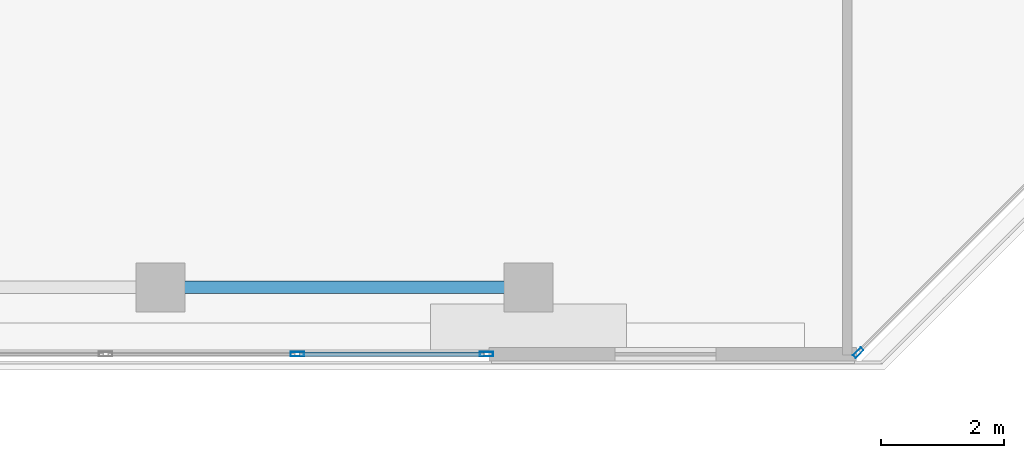
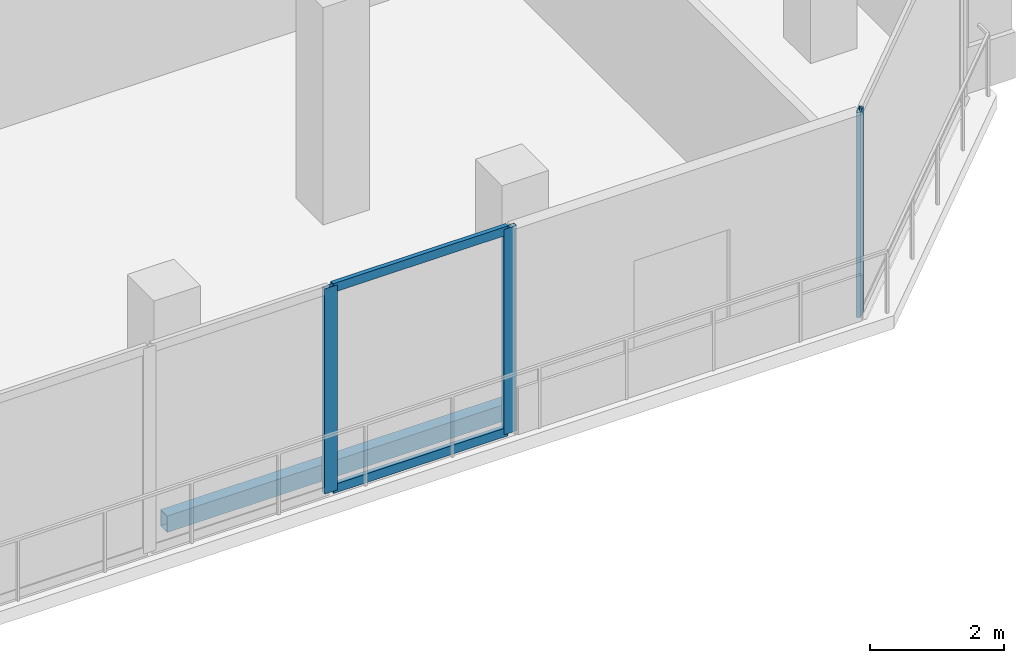
# One storey, part 14 of 26: 5 members, 1 beam, 2 elements without a shape of their own.
"""IFC4 building model written with IfcOpenShell, lengths in metres."""

from ifc_helpers import new_model, si_unit, direction, frame, origin, origin_2d, place, context, subcontext, project, spatial, hollow_rectangle, extrude, material, layer, layer_set, material_profile, profile_set, type_object, element, aggregate, save


model = new_model("IFC4")

# Units and contexts
model_context = context("Model", 3, precision=1e-05, world=origin(), true_north=direction((0.0, 1.0)))
body_context = subcontext(model_context, "Body", "Model", "MODEL_VIEW")
ifc_project = project(units=[si_unit("LENGTHUNIT", "METRE"), si_unit("AREAUNIT", "SQUARE_METRE"), si_unit("VOLUMEUNIT", "CUBIC_METRE"), si_unit("PLANEANGLEUNIT", "RADIAN"), si_unit("MASSUNIT", "GRAM", prefix="KILO")], contexts=[model_context])

# Site, building, storey
site_placement = place(None, origin())
site = spatial("IfcSite", under=ifc_project, at=site_placement, CompositionType="ELEMENT")
building_placement = place(site_placement, origin())
building = spatial("IfcBuilding", under=site, at=building_placement, Name="Tanjung Sevakor Pilgrim Tower", CompositionType="ELEMENT")
storey_placement = place(building_placement, frame((0.0, 0.0, 177.8701171875)))
storey = spatial("IfcBuildingStorey", under=building, at=storey_placement, Name="L49", CompositionType="ELEMENT", Elevation=177.8701171875)

# Beam
ifc_material_1 = material(Name="Steel S355J2", Category="steel")
ifc_material_profile_1 = material_profile(ifc_material_1, hollow_rectangle(XDim=0.199951171875, YDim=0.300048828125, WallThickness=0.012451171875, at=origin_2d()))
ifc_profile_set_1 = profile_set([ifc_material_profile_1], Name="Steel S355J2")
beam_type = type_object("IfcBeamType", Name="BM-B-SP3-RHS_300x200x12.5", PredefinedType="SPANDREL", material=ifc_profile_set_1)
beam_placement = place(storey_placement, frame((84.0, 13.25, -0.43017578125), z_axis=(1.0, 0.0, 0.0), x_axis=(0.0, 1.0, 0.0)))
element("IfcBeam", 1, at=beam_placement, inside=storey, type_object=beam_type, Name="L49 Spandrel MAIN S-15", PredefinedType="SPANDREL", context=body_context, shape_type="SweptSolid", body=[
    extrude(hollow_rectangle(XDim=0.199951171875, YDim=0.300048828125, WallThickness=0.012451171875, at=origin_2d()), origin(), (0.0, 0.0, 1.0), 6.0),
])

# Curtain wall, member
ifc_material_2 = material(Name="Aluminium 6063-T6 and Low-E Glass", Category="aluminium")
ifc_layer_1 = layer(ifc_material_2, 0.179931640625)
ifc_layer_set_1 = layer_set([ifc_layer_1], Name="CW-SYS-CHAM")
curtain_wall_type_1 = type_object("IfcCurtainWallType", Name="CW-SYS-CHAM", PredefinedType="NOTDEFINED", material=ifc_layer_set_1)
curtain_wall_1_placement = place(storey_placement, origin())
curtain_wall_1 = element("IfcCurtainWall", 2, at=curtain_wall_1_placement, inside=storey, type_object=curtain_wall_type_1, Name="L49 Curtain Wall CW-CHM-L49-MAIN-5", PredefinedType="NOTDEFINED")
ifc_material_3 = material(Name="Aluminium 6063-T6", Category="aluminium")
ifc_material_profile_2 = material_profile(ifc_material_3, hollow_rectangle(XDim=0.06494140625, YDim=0.179931640625, WallThickness=0.00390625, at=origin_2d()))
ifc_profile_set_2 = profile_set([ifc_material_profile_2], Name="Aluminium 6063-T6")
member_type_1 = type_object("IfcMemberType", Name="TYPE-CWM-1", PredefinedType="MULLION", material=ifc_profile_set_2)
member_1_placement = place(storey_placement, frame((95.37744140625, 12.182861328125, 0.0), z_axis=(0.0, 0.0, 1.0), x_axis=(-0.707106781187, 0.707106781187, 0.0)))
member_1 = element("IfcMember", 3, at=member_1_placement, type_object=member_type_1, Name="CW-CHM mullion 1", PredefinedType="MULLION", context=body_context, shape_type="SweptSolid", body=[
    extrude(hollow_rectangle(XDim=0.06494140625, YDim=0.179931640625, WallThickness=0.00390625, at=origin_2d()), origin(), (0.0, 0.0, 1.0), 3.739990234375),
])
aggregate(curtain_wall_1, [member_1])

# Curtain wall, members
ifc_material_4 = material(Name="Aluminium 6063-T6 and Low-E Glass", Category="aluminium")
ifc_layer_2 = layer(ifc_material_4, 0.199951171875)
ifc_layer_set_2 = layer_set([ifc_layer_2], Name="CW-SYS-SKY")
curtain_wall_type_2 = type_object("IfcCurtainWallType", Name="CW-SYS-SKY", PredefinedType="NOTDEFINED", material=ifc_layer_set_2)
curtain_wall_2_placement = place(storey_placement, origin())
curtain_wall_2 = element("IfcCurtainWall", 4, at=curtain_wall_2_placement, inside=storey, type_object=curtain_wall_type_2, Name="L49 Curtain Wall CW-SKY-L49-S", PredefinedType="NOTDEFINED")
ifc_material_5 = material(Name="Aluminium 6063-T6", Category="aluminium")
ifc_material_profile_3 = material_profile(ifc_material_5, hollow_rectangle(XDim=0.074951171875, YDim=0.219970703125, WallThickness=0.0048828125, at=origin_2d()))
ifc_profile_set_3 = profile_set([ifc_material_profile_3], Name="Aluminium 6063-T6")
member_type_2 = type_object("IfcMemberType", Name="TYPE-CWM-2", PredefinedType="MULLION", material=ifc_profile_set_3)
member_2_placement = place(storey_placement, frame((86.22998046875, 12.159912109375, 0.0), z_axis=(0.0, 0.0, 1.0), x_axis=(0.0, 1.0, 0.0)))
member_2 = element("IfcMember", 5, at=member_2_placement, type_object=member_type_2, Name="CW-SKY mullion 10", PredefinedType="MULLION", context=body_context, shape_type="SweptSolid", body=[
    extrude(hollow_rectangle(XDim=0.074951171875, YDim=0.219970703125, WallThickness=0.0048828125, at=origin_2d()), origin(), (0.0, 0.0, 1.0), 3.739990234375),
])
member_3_placement = place(storey_placement, frame((89.31689453125, 12.159912109375, 0.0), z_axis=(0.0, 0.0, 1.0), x_axis=(0.0, 1.0, 0.0)))
member_3 = element("IfcMember", 6, at=member_3_placement, type_object=member_type_2, Name="CW-SKY mullion 11", PredefinedType="MULLION", context=body_context, shape_type="SweptSolid", body=[
    extrude(hollow_rectangle(XDim=0.074951171875, YDim=0.219970703125, WallThickness=0.0048828125, at=origin_2d()), origin(), (0.0, 0.0, 1.0), 3.739990234375),
])
ifc_material_6 = material(Name="Aluminium 6063-T6", Category="aluminium")
ifc_material_profile_4 = material_profile(ifc_material_6, hollow_rectangle(XDim=0.074951171875, YDim=0.159912109375, WallThickness=0.00439453125, at=origin_2d()))
ifc_profile_set_4 = profile_set([ifc_material_profile_4], Name="Aluminium 6063-T6")
member_type_3 = type_object("IfcMemberType", Name="TYPE-CWT-2", PredefinedType="USERDEFINED", material=ifc_profile_set_4)
member_4_placement = place(storey_placement, frame((86.267578125, 12.159912109375, 0.037353515625), z_axis=(1.0, 0.0, 0.0), x_axis=(0.0, 1.0, 0.0)))
member_4 = element("IfcMember", 7, at=member_4_placement, type_object=member_type_3, Name="CW-SKY transom 10.1", ObjectType="TRANSOM", PredefinedType="USERDEFINED", context=body_context, shape_type="SweptSolid", body=[
    extrude(hollow_rectangle(XDim=0.074951171875, YDim=0.159912109375, WallThickness=0.00439453125, at=origin_2d()), origin(), (0.0, 0.0, 1.0), 3.01171875),
])
member_5_placement = place(storey_placement, frame((86.267578125, 12.159912109375, 3.702392578125), z_axis=(1.0, 0.0, 0.0), x_axis=(0.0, 1.0, 0.0)))
member_5 = element("IfcMember", 8, at=member_5_placement, type_object=member_type_3, Name="CW-SKY transom 10.2", ObjectType="TRANSOM", PredefinedType="USERDEFINED", context=body_context, shape_type="SweptSolid", body=[
    extrude(hollow_rectangle(XDim=0.074951171875, YDim=0.159912109375, WallThickness=0.00439453125, at=origin_2d()), origin(), (0.0, 0.0, 1.0), 3.01171875),
])
aggregate(curtain_wall_2, [member_2, member_3, member_4, member_5])

save(model, "model.ifc")
